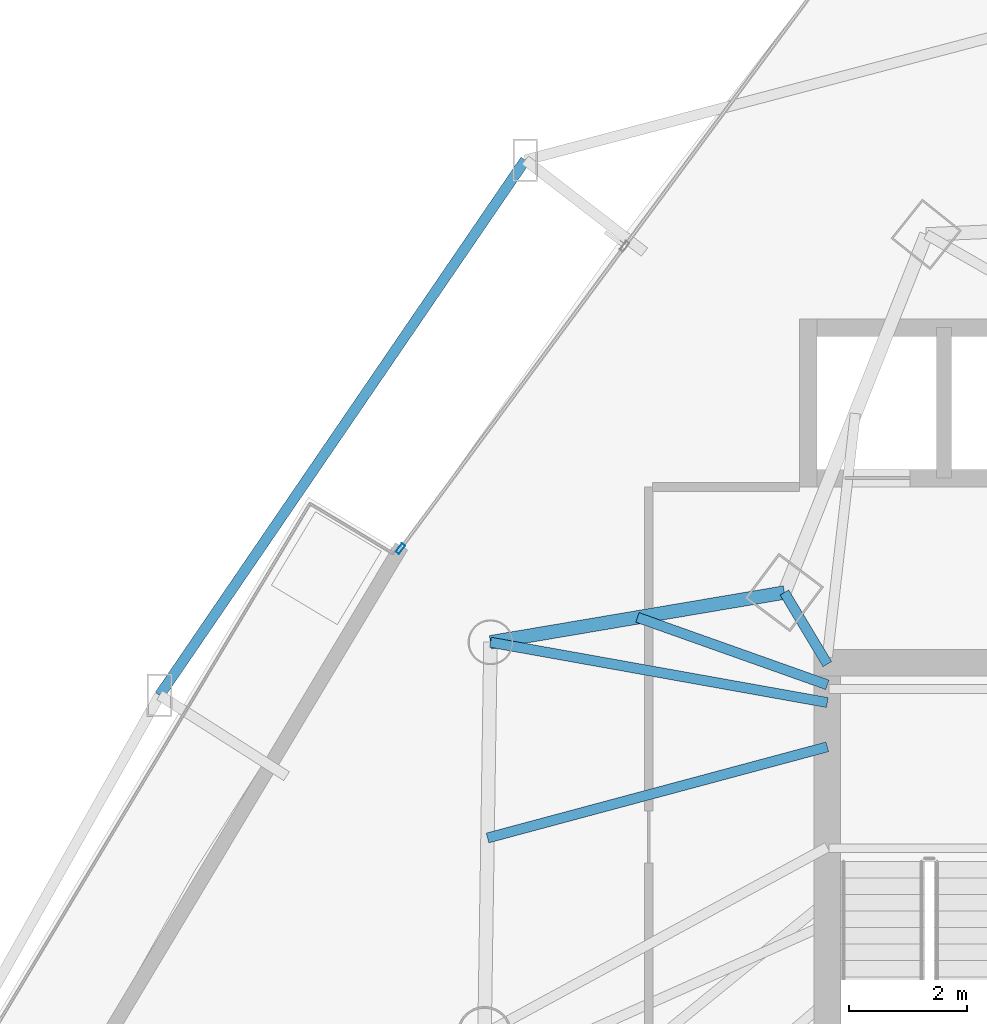
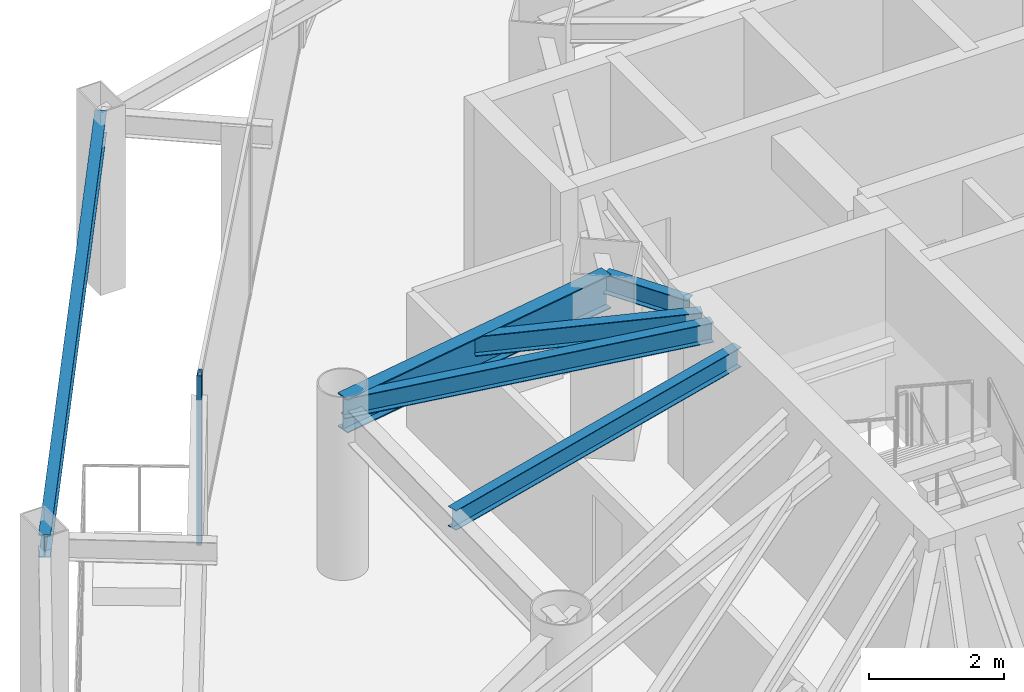
# One storey, part 23 of 38: 6 beams, 1 member, 1 element without a shape of its own.
"""IFC4 building model written with IfcOpenShell, lengths in metres."""

from ifc_helpers import new_model, si_unit, direction, frame, origin, origin_2d, place, context, subcontext, project, spatial, hollow_rectangle, i_section, extrude, material, layer, layer_set, material_profile, profile_set, type_object, element, aggregate, save


model = new_model("IFC4")

# Units and contexts
model_context = context("Model", 3, precision=1e-05, world=origin(), true_north=direction((0.0, 1.0)))
body_context = subcontext(model_context, "Body", "Model", "MODEL_VIEW")
ifc_project = project(units=[si_unit("LENGTHUNIT", "METRE"), si_unit("AREAUNIT", "SQUARE_METRE"), si_unit("VOLUMEUNIT", "CUBIC_METRE"), si_unit("PLANEANGLEUNIT", "RADIAN"), si_unit("MASSUNIT", "GRAM", prefix="KILO")], contexts=[model_context])

# Site, building, storey
site_placement = place(None, origin())
site = spatial("IfcSite", under=ifc_project, at=site_placement, CompositionType="ELEMENT")
building_placement = place(site_placement, origin())
building = spatial("IfcBuilding", under=site, at=building_placement, Name="Orvanel Arch Residences", CompositionType="ELEMENT")
storey_placement = place(building_placement, frame((0.0, 0.0, 43.39990234375)))
storey = spatial("IfcBuildingStorey", under=building, at=storey_placement, Name="L11", CompositionType="ELEMENT", Elevation=43.39990234375)

# Beams
ifc_material_1 = material(Name="Structural steel AS/NZS 3679.1 Grade 300 (300 MPa)", Category="steel")
ifc_material_profile_1 = material_profile(ifc_material_1, i_section(OverallWidth=0.1708984375, OverallDepth=0.35595703125, WebThickness=0.00732421875, FlangeThickness=0.011474609375, at=origin_2d()), Name="360UB50.7")
ifc_profile_set_1 = profile_set([ifc_material_profile_1], Name="Structural steel AS/NZS 3679.1 Grade 300 (300 MPa)")
beam_type_1 = type_object("IfcBeamType", Name="BJ-360UB", PredefinedType="JOIST", material=ifc_profile_set_1)
beam_1_placement = place(storey_placement, frame((26.375, 33.89990234375, 2.882080078125), z_axis=(-0.514064138778, 0.857751748015, 0.0), x_axis=(-0.857751748015, -0.514064138778, 0.0)))
element("IfcBeam", 1, at=beam_1_placement, inside=storey, type_object=beam_type_1, Name="L11 NNW Wing Floor Joist", PredefinedType="JOIST", context=body_context, shape_type="SweptSolid", body=[
    extrude(i_section(OverallWidth=0.1708984375, OverallDepth=0.35595703125, WebThickness=0.00732421875, FlangeThickness=0.011474609375, at=origin_2d()), origin(), (0.0, 0.0, 1.0), 1.414306640625),
])
beam_2_placement = place(storey_placement, frame((26.375, 32.5, 2.882080078125), z_axis=(-0.965844838168, -0.259121107949, 0.0), x_axis=(0.259121107949, -0.965844838168, 0.0)))
element("IfcBeam", 2, at=beam_2_placement, inside=storey, type_object=beam_type_1, Name="L11 WNW Wing Floor Joist", PredefinedType="JOIST", context=body_context, shape_type="SweptSolid", body=[
    extrude(i_section(OverallWidth=0.1708984375, OverallDepth=0.35595703125, WebThickness=0.00732421875, FlangeThickness=0.011474609375, at=origin_2d()), origin(), (0.0, 0.0, 1.0), 5.95849609375),
])
beam_3_placement = place(storey_placement, frame((26.375, 33.25, 2.882080078125), z_axis=(-0.984360855662, 0.176163860766, 0.0), x_axis=(-0.176163860766, -0.984360855662, 0.0)))
element("IfcBeam", 3, at=beam_3_placement, inside=storey, type_object=beam_type_1, Name="L11 LW Wing Floor Joist", PredefinedType="JOIST", context=body_context, shape_type="SweptSolid", body=[
    extrude(i_section(OverallWidth=0.1708984375, OverallDepth=0.35595703125, WebThickness=0.00732421875, FlangeThickness=0.011474609375, at=origin_2d()), origin(), (0.0, 0.0, 1.0), 5.795654296875),
])
beam_4_placement = place(storey_placement, frame((26.375, 33.550048828125, 2.882080078125), z_axis=(-0.942366638377, 0.334582006201, 0.0), x_axis=(-0.334582006201, -0.942366638377, 0.0)))
element("IfcBeam", 4, at=beam_4_placement, inside=storey, type_object=beam_type_1, Name="L11 JADD3 Wing Floor Joist", PredefinedType="JOIST", context=body_context, shape_type="SweptSolid", body=[
    extrude(i_section(OverallWidth=0.1708984375, OverallDepth=0.35595703125, WebThickness=0.00732421875, FlangeThickness=0.011474609375, at=origin_2d()), origin(), (0.0, 0.0, 1.0), 3.412841796875),
])

# Curtain wall, member
ifc_material_2 = material(Name="Bronze-anodised aluminium AA6063-T6", Category="aluminium")
ifc_layer = layer(ifc_material_2, 0.179931640625)
ifc_layer_set = layer_set([ifc_layer], Name="Bronze-anodised aluminium AA6063-T6")
curtain_wall_type = type_object("IfcCurtainWallType", Name="CW2-LOW-SYS", PredefinedType="NOTDEFINED", material=ifc_layer_set)
curtain_wall_placement = place(storey_placement, origin())
curtain_wall = element("IfcCurtainWall", 5, at=curtain_wall_placement, inside=storey, type_object=curtain_wall_type, Name="L11 CW2-LOW-SYS Unitised Curtain Wall", PredefinedType="NOTDEFINED")
ifc_material_profile_2 = material_profile(ifc_material_2, hollow_rectangle(XDim=0.070068359375, YDim=0.179931640625, WallThickness=0.00439453125, at=origin_2d()), Name="ALU180x70x4.5")
ifc_profile_set_2 = profile_set([ifc_material_profile_2], Name="Bronze-anodised aluminium AA6063-T6")
member_type = type_object("IfcMemberType", Name="MUL-180x70", PredefinedType="MULLION", material=ifc_profile_set_2)
member_placement = place(storey_placement, frame((19.144775390625, 35.856201171875, 0.0), z_axis=(0.0, 0.0, 1.0), x_axis=(0.803367768067, -0.595483189714, 0.0)))
member = element("IfcMember", 6, at=member_placement, type_object=member_type, Name="CW-S2 mullion 3", PredefinedType="MULLION", context=body_context, shape_type="SweptSolid", body=[
    extrude(hollow_rectangle(XDim=0.070068359375, YDim=0.179931640625, WallThickness=0.00439453125, at=origin_2d()), origin(), (0.0, 0.0, 1.0), 3.06005859375),
])
aggregate(curtain_wall, [member])

# Beams
ifc_material_profile_3 = material_profile(ifc_material_1, i_section(OverallWidth=0.177978515625, OverallDepth=0.406005859375, WebThickness=0.0078125, FlangeThickness=0.0126953125, at=origin_2d()), Name="410UB59.7")
ifc_profile_set_3 = profile_set([ifc_material_profile_3], Name="Structural steel AS/NZS 3679.1 Grade 300 (300 MPa)")
beam_type_2 = type_object("IfcBeamType", Name="OB-410UB-EXT", PredefinedType="SPANDREL", material=ifc_profile_set_3)
beam_5_placement = place(storey_placement, frame((21.259033203125, 42.43701171875, 2.857177734375), z_axis=(-0.564195053512, -0.82564153335, 0.0), x_axis=(0.82564153335, -0.564195053512, 0.0)))
element("IfcBeam", 7, at=beam_5_placement, inside=storey, type_object=beam_type_2, Name="L11 Outer Perimeter Floor Ring Beam 01", PredefinedType="SPANDREL", context=body_context, shape_type="SweptSolid", body=[
    extrude(i_section(OverallWidth=0.177978515625, OverallDepth=0.406005859375, WebThickness=0.0078125, FlangeThickness=0.0126953125, at=origin_2d()), origin(), (0.0, 0.0, 1.0), 10.976806640625),
])
ifc_material_profile_4 = material_profile(ifc_material_1, i_section(OverallWidth=0.22900390625, OverallDepth=0.612060546875, WebThickness=0.011962890625, FlangeThickness=0.01953125, at=origin_2d()), Name="610UB125")
ifc_profile_set_4 = profile_set([ifc_material_profile_4], Name="Structural steel AS/NZS 3679.1 Grade 300 (300 MPa)")
beam_type_3 = type_object("IfcBeamType", Name="SP-610UB", PredefinedType="SPANDREL", material=ifc_profile_set_4)
beam_6_placement = place(storey_placement, frame((25.64794921875, 35.113037109375, 2.754150390625), z_axis=(-0.985993733897, -0.166782363326, 0.0), x_axis=(0.166782363326, -0.985993733897, 0.0)))
element("IfcBeam", 8, at=beam_6_placement, inside=storey, type_object=beam_type_3, Name="L11 Perimeter Spandrel Beam 19", PredefinedType="SPANDREL", context=body_context, shape_type="SweptSolid", body=[
    extrude(i_section(OverallWidth=0.22900390625, OverallDepth=0.612060546875, WebThickness=0.011962890625, FlangeThickness=0.01953125, at=origin_2d()), origin(), (0.0, 0.0, 1.0), 5.048828125),
])

save(model, "model.ifc")
